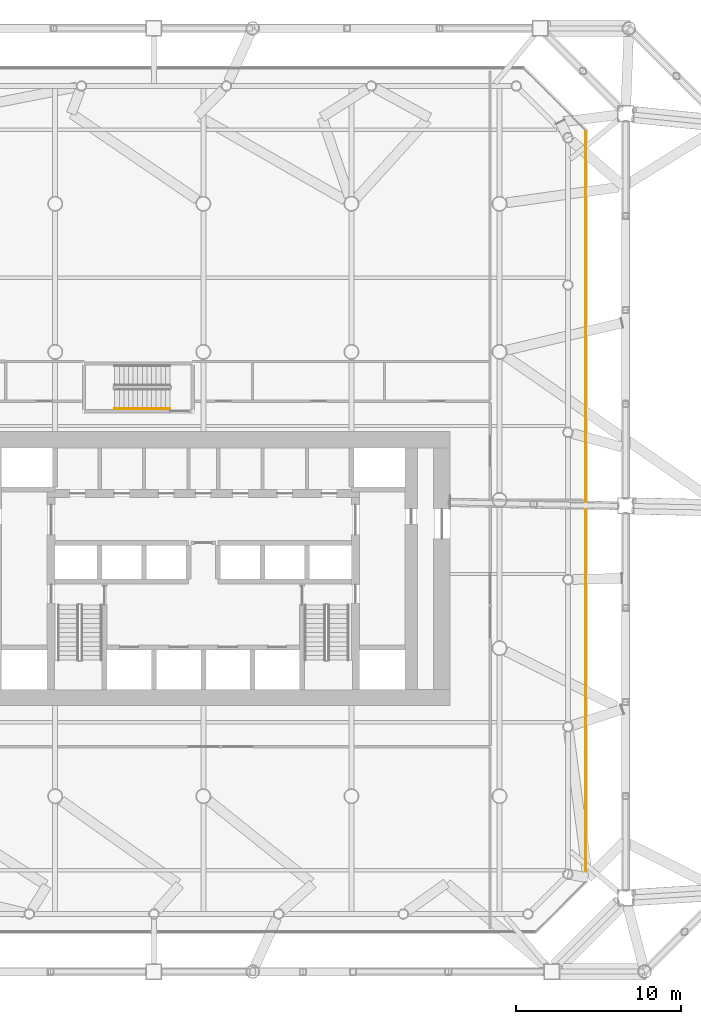
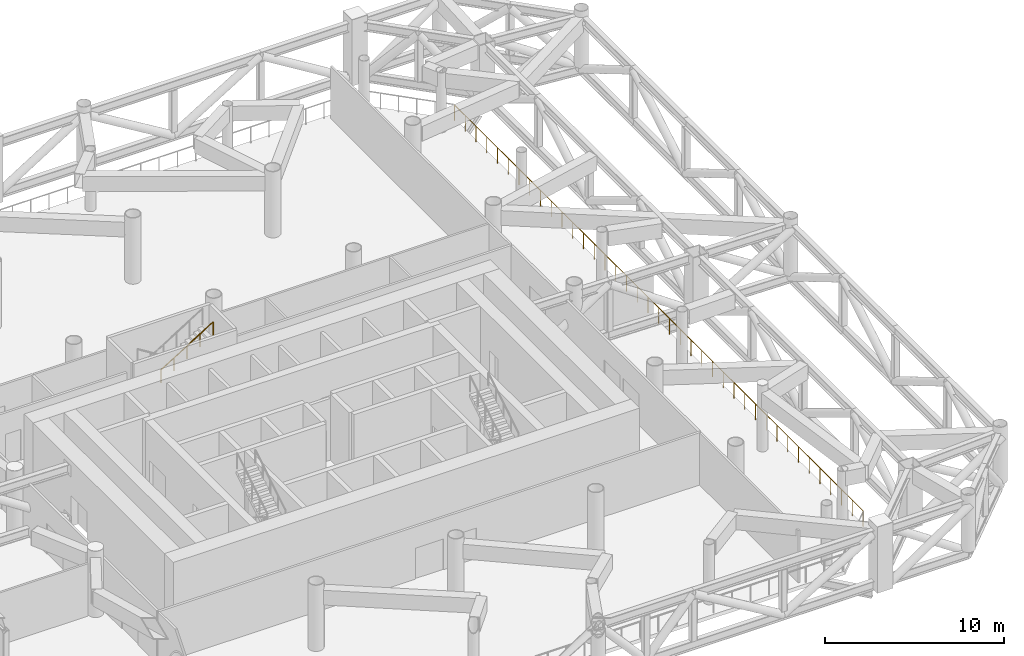
# One storey, part 20 of 22: 2 railings.
"""IFC4 building model written with IfcOpenShell, lengths in metres."""

from ifc_helpers import new_model, si_unit, direction, frame, origin, origin_2d, place, context, subcontext, project, spatial, circle, extrude, material, type_object, element, save


model = new_model("IFC4")

# Units and contexts
model_context = context("Model", 3, precision=1e-05, world=origin(), true_north=direction((0.0, 1.0)))
body_context = subcontext(model_context, "Body", "Model", "MODEL_VIEW")
ifc_project = project(units=[si_unit("LENGTHUNIT", "METRE"), si_unit("AREAUNIT", "SQUARE_METRE"), si_unit("VOLUMEUNIT", "CUBIC_METRE"), si_unit("PLANEANGLEUNIT", "RADIAN"), si_unit("MASSUNIT", "GRAM", prefix="KILO")], contexts=[model_context])

# Site, building, storey
site_placement = place(None, origin())
site = spatial("IfcSite", under=ifc_project, at=site_placement, CompositionType="ELEMENT")
building_placement = place(site_placement, origin())
building = spatial("IfcBuilding", under=site, at=building_placement, Name="Tskaro Facet Tower", CompositionType="ELEMENT")
storey_placement = place(building_placement, frame((0.0, 0.0, 57.60009765625)))
storey = spatial("IfcBuildingStorey", under=building, at=storey_placement, Name="L13", CompositionType="ELEMENT", Elevation=57.60009765625)

# Railings
ifc_material_1 = material(Name="Bronze anodised aluminium 6063-T6", Category="aluminium")
railing_type_1 = type_object("IfcRailingType", Name="Bronze guard rail (GD1)", PredefinedType="GUARDRAIL", material=ifc_material_1)
railing_1_placement = place(storey_placement, frame((23.237060546875, -23.131103515625, 0.0)))
element("IfcRailing", 1, at=railing_1_placement, inside=storey, type_object=railing_type_1, Name="Guard L13", PredefinedType="GUARDRAIL", context=body_context, shape_type="SweptSolid", body=[
    extrude(circle(Radius=0.02490234375, at=origin_2d()), frame((0.0, 0.0, 1.0751953125), z_axis=(0.0, 1.0, 0.0), x_axis=(-1.0, 0.0, 0.0)), (0.0, 0.0, 1.0), 45.545166015625),
    extrude(circle(Radius=0.02001953125, at=origin_2d()), origin(), (0.0, 0.0, 1.0), 1.050048828125),
    extrude(circle(Radius=0.02001953125, at=origin_2d()), frame((0.0, 1.198486328125, 0.0)), (0.0, 0.0, 1.0), 1.050048828125),
    extrude(circle(Radius=0.02001953125, at=origin_2d()), frame((0.0, 2.397216796875, 0.0)), (0.0, 0.0, 1.0), 1.050048828125),
    extrude(circle(Radius=0.02001953125, at=origin_2d()), frame((0.0, 3.595703125, 0.0)), (0.0, 0.0, 1.0), 1.050048828125),
    extrude(circle(Radius=0.02001953125, at=origin_2d()), frame((0.0, 4.794189453125, 0.0)), (0.0, 0.0, 1.0), 1.050048828125),
    extrude(circle(Radius=0.02001953125, at=origin_2d()), frame((0.0, 5.99267578125, 0.0)), (0.0, 0.0, 1.0), 1.050048828125),
    extrude(circle(Radius=0.02001953125, at=origin_2d()), frame((0.0, 7.19140625, 0.0)), (0.0, 0.0, 1.0), 1.050048828125),
    extrude(circle(Radius=0.02001953125, at=origin_2d()), frame((0.0, 8.389892578125, 0.0)), (0.0, 0.0, 1.0), 1.050048828125),
    extrude(circle(Radius=0.02001953125, at=origin_2d()), frame((0.0, 9.58837890625, 0.0)), (0.0, 0.0, 1.0), 1.050048828125),
    extrude(circle(Radius=0.02001953125, at=origin_2d()), frame((0.0, 10.787109375, 0.0)), (0.0, 0.0, 1.0), 1.050048828125),
    extrude(circle(Radius=0.02001953125, at=origin_2d()), frame((0.0, 11.985595703125, 0.0)), (0.0, 0.0, 1.0), 1.050048828125),
    extrude(circle(Radius=0.02001953125, at=origin_2d()), frame((0.0, 13.18408203125, 0.0)), (0.0, 0.0, 1.0), 1.050048828125),
    extrude(circle(Radius=0.02001953125, at=origin_2d()), frame((0.0, 14.382568359375, 0.0)), (0.0, 0.0, 1.0), 1.050048828125),
    extrude(circle(Radius=0.02001953125, at=origin_2d()), frame((0.0, 15.581298828125, 0.0)), (0.0, 0.0, 1.0), 1.050048828125),
    extrude(circle(Radius=0.02001953125, at=origin_2d()), frame((0.0, 16.77978515625, 0.0)), (0.0, 0.0, 1.0), 1.050048828125),
    extrude(circle(Radius=0.02001953125, at=origin_2d()), frame((0.0, 17.978271484375, 0.0)), (0.0, 0.0, 1.0), 1.050048828125),
    extrude(circle(Radius=0.02001953125, at=origin_2d()), frame((0.0, 19.177001953125, 0.0)), (0.0, 0.0, 1.0), 1.050048828125),
    extrude(circle(Radius=0.02001953125, at=origin_2d()), frame((0.0, 20.37548828125, 0.0)), (0.0, 0.0, 1.0), 1.050048828125),
    extrude(circle(Radius=0.02001953125, at=origin_2d()), frame((0.0, 21.573974609375, 0.0)), (0.0, 0.0, 1.0), 1.050048828125),
    extrude(circle(Radius=0.02001953125, at=origin_2d()), frame((0.0, 22.7724609375, 0.0)), (0.0, 0.0, 1.0), 1.050048828125),
    extrude(circle(Radius=0.02001953125, at=origin_2d()), frame((0.0, 23.97119140625, 0.0)), (0.0, 0.0, 1.0), 1.050048828125),
    extrude(circle(Radius=0.02001953125, at=origin_2d()), frame((0.0, 25.169677734375, 0.0)), (0.0, 0.0, 1.0), 1.050048828125),
    extrude(circle(Radius=0.02001953125, at=origin_2d()), frame((0.0, 26.3681640625, 0.0)), (0.0, 0.0, 1.0), 1.050048828125),
    extrude(circle(Radius=0.02001953125, at=origin_2d()), frame((0.0, 27.56689453125, 0.0)), (0.0, 0.0, 1.0), 1.050048828125),
    extrude(circle(Radius=0.02001953125, at=origin_2d()), frame((0.0, 28.765380859375, 0.0)), (0.0, 0.0, 1.0), 1.050048828125),
    extrude(circle(Radius=0.02001953125, at=origin_2d()), frame((0.0, 29.9638671875, 0.0)), (0.0, 0.0, 1.0), 1.050048828125),
    extrude(circle(Radius=0.02001953125, at=origin_2d()), frame((0.0, 31.16259765625, 0.0)), (0.0, 0.0, 1.0), 1.050048828125),
    extrude(circle(Radius=0.02001953125, at=origin_2d()), frame((0.0, 32.361083984375, 0.0)), (0.0, 0.0, 1.0), 1.050048828125),
    extrude(circle(Radius=0.02001953125, at=origin_2d()), frame((0.0, 33.5595703125, 0.0)), (0.0, 0.0, 1.0), 1.050048828125),
    extrude(circle(Radius=0.02001953125, at=origin_2d()), frame((0.0, 34.758056640625, 0.0)), (0.0, 0.0, 1.0), 1.050048828125),
    extrude(circle(Radius=0.02001953125, at=origin_2d()), frame((0.0, 35.956787109375, 0.0)), (0.0, 0.0, 1.0), 1.050048828125),
    extrude(circle(Radius=0.02001953125, at=origin_2d()), frame((0.0, 37.1552734375, 0.0)), (0.0, 0.0, 1.0), 1.050048828125),
    extrude(circle(Radius=0.02001953125, at=origin_2d()), frame((0.0, 38.353759765625, 0.0)), (0.0, 0.0, 1.0), 1.050048828125),
    extrude(circle(Radius=0.02001953125, at=origin_2d()), frame((0.0, 39.552490234375, 0.0)), (0.0, 0.0, 1.0), 1.050048828125),
    extrude(circle(Radius=0.02001953125, at=origin_2d()), frame((0.0, 40.7509765625, 0.0)), (0.0, 0.0, 1.0), 1.050048828125),
    extrude(circle(Radius=0.02001953125, at=origin_2d()), frame((0.0, 41.949462890625, 0.0)), (0.0, 0.0, 1.0), 1.050048828125),
    extrude(circle(Radius=0.02001953125, at=origin_2d()), frame((0.0, 43.14794921875, 0.0)), (0.0, 0.0, 1.0), 1.050048828125),
    extrude(circle(Radius=0.02001953125, at=origin_2d()), frame((0.0, 44.3466796875, 0.0)), (0.0, 0.0, 1.0), 1.050048828125),
    extrude(circle(Radius=0.02001953125, at=origin_2d()), frame((0.0, 45.545166015625, 0.0)), (0.0, 0.0, 1.0), 1.050048828125),
])
ifc_material_2 = material(Name="Stainless steel", Category="steel")
railing_type_2 = type_object("IfcRailingType", Name="RL-HANDRAIL-900", PredefinedType="HANDRAIL", material=ifc_material_2)
railing_2_placement = place(storey_placement, frame((-5.385009765625, 5.550048828125, 2.423095703125)))
element("IfcRailing", 2, at=railing_2_placement, inside=storey, type_object=railing_type_2, Name="L13 ST-3 stair handrail 2", PredefinedType="HANDRAIL", context=body_context, shape_type="SweptSolid", body=[
    extrude(circle(Radius=0.02392578125, at=origin_2d()), frame((0.0, 0.0, 0.8759765625), z_axis=(0.850623216509, 0.0, 0.525775754039), x_axis=(0.0, 1.0, 0.0)), (0.0, 0.0, 1.0), 3.9501953125),
    extrude(circle(Radius=0.02099609375, at=origin_2d()), origin(), (0.0, 0.0, 1.0), 0.851806640625),
    extrude(circle(Radius=0.02099609375, at=origin_2d()), frame((0.840087890625, 0.0, 0.519287109375)), (0.0, 0.0, 1.0), 0.851806640625),
    extrude(circle(Radius=0.02099609375, at=origin_2d()), frame((1.68017578125, 0.0, 1.03857421875)), (0.0, 0.0, 1.0), 0.851806640625),
    extrude(circle(Radius=0.02099609375, at=origin_2d()), frame((2.52001953125, 0.0, 1.5576171875)), (0.0, 0.0, 1.0), 0.851806640625),
    extrude(circle(Radius=0.02099609375, at=origin_2d()), frame((3.360107421875, 0.0, 2.076904296875)), (0.0, 0.0, 1.0), 0.851806640625),
])

save(model, "model.ifc")
